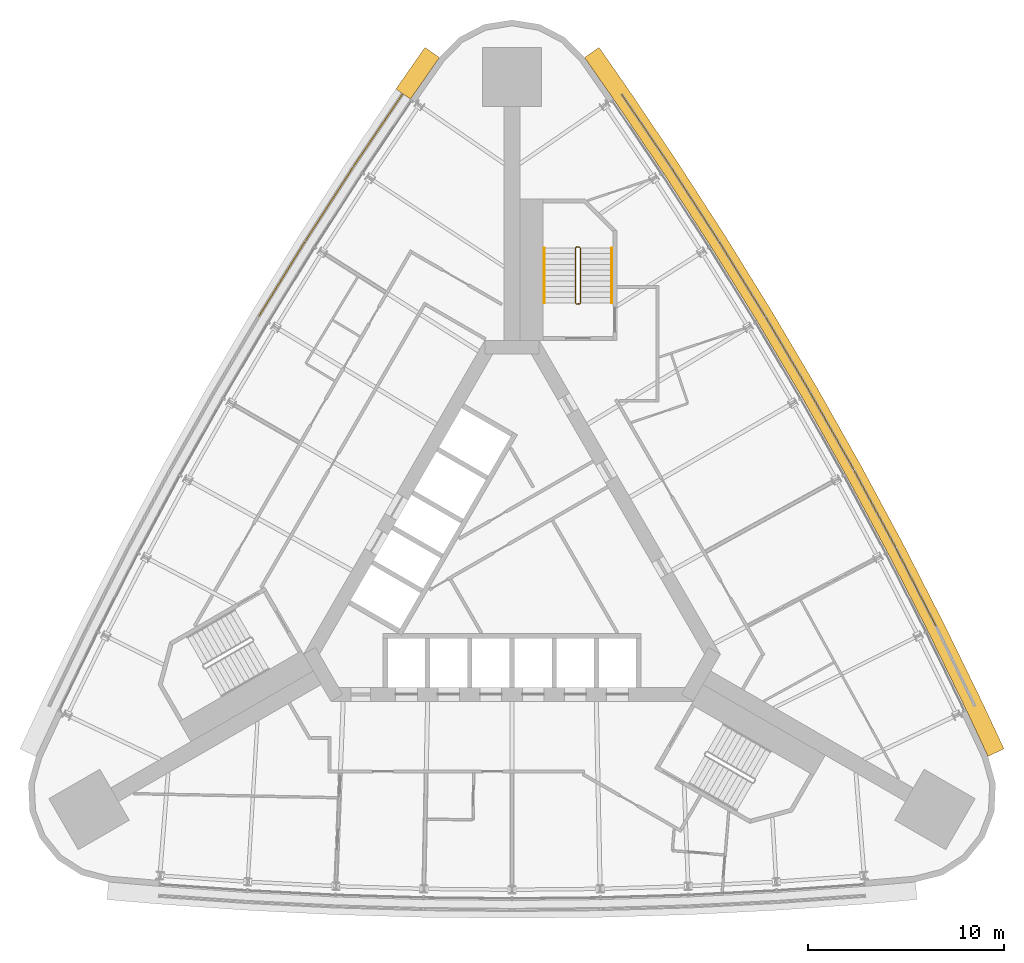
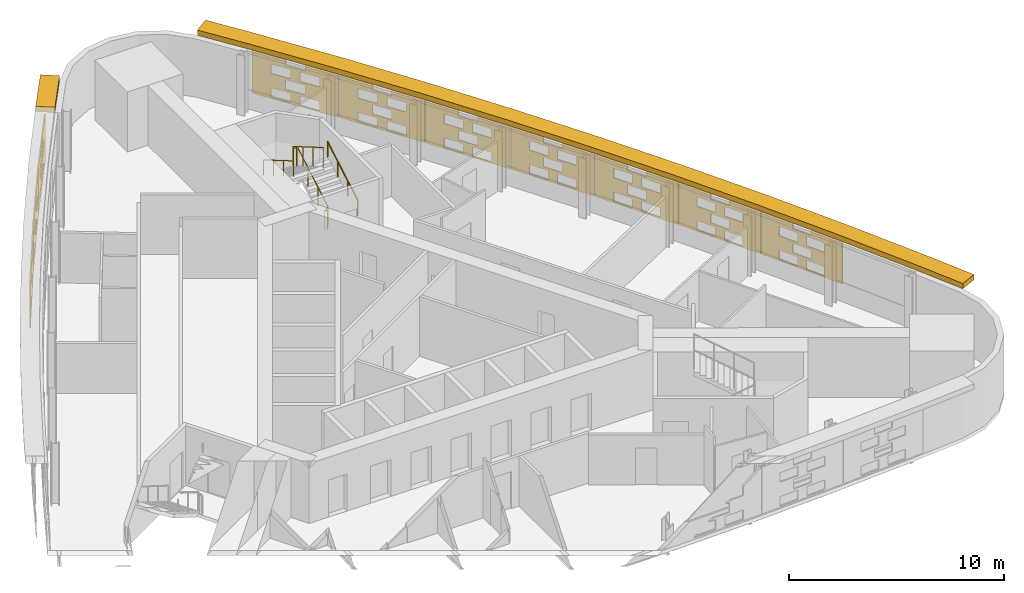
# One storey, part 11 of 11: 12 shading devices, 3 railings.
"""IFC4 building model written with IfcOpenShell, lengths in metres."""

from ifc_helpers import new_model, si_unit, direction, frame, origin, origin_2d, place, context, subcontext, project, spatial, polyline, circle, outline, extrude, material, material_profile, profile_set, type_object, element, save


model = new_model("IFC4")

# Units and contexts
model_context = context("Model", 3, precision=1e-05, world=origin(), true_north=direction((0.0, 1.0)))
body_context = subcontext(model_context, "Body", "Model", "MODEL_VIEW")
ifc_project = project(units=[si_unit("LENGTHUNIT", "METRE"), si_unit("AREAUNIT", "SQUARE_METRE"), si_unit("VOLUMEUNIT", "CUBIC_METRE"), si_unit("PLANEANGLEUNIT", "RADIAN"), si_unit("MASSUNIT", "GRAM", prefix="KILO")], contexts=[model_context])

# Site, building, storey
site_placement = place(None, origin())
site = spatial("IfcSite", under=ifc_project, at=site_placement, CompositionType="ELEMENT")
building_placement = place(site_placement, origin())
building = spatial("IfcBuilding", under=site, at=building_placement, Name="Noor Cloister Tower", CompositionType="ELEMENT")
storey_placement = place(building_placement, frame((0.0, 0.0, 109.5)))
storey = spatial("IfcBuildingStorey", under=building, at=storey_placement, Name="L28", CompositionType="ELEMENT", Elevation=109.5)

# Shading devices
ifc_material_1 = material(Name="Limestone", Category="masonry")
ifc_material_profile = material_profile(ifc_material_1, outline(polyline([(-2.22998046875, -1.35009765625), (2.22998046875, -1.35009765625), (2.22998046875, 1.35009765625), (-2.22998046875, 1.35009765625), (-2.22998046875, -1.35009765625)]), holes=[polyline([(-1.25, -1.282470703125), (-0.25, -1.282470703125), (-0.25, -0.742431640625), (-1.25, -0.742431640625), (-1.25, -1.282470703125)]), polyline([(0.25, -1.282470703125), (1.25, -1.282470703125), (1.25, -0.742431640625), (0.25, -0.742431640625), (0.25, -1.282470703125)]), polyline([(-0.5, -0.607421875), (0.5, -0.607421875), (0.5, -0.0673828125), (-0.5, -0.0673828125), (-0.5, -0.607421875)]), polyline([(-1.25, 0.0673828125), (-0.25, 0.0673828125), (-0.25, 0.607421875), (-1.25, 0.607421875), (-1.25, 0.0673828125)]), polyline([(0.25, 0.0673828125), (1.25, 0.0673828125), (1.25, 0.607421875), (0.25, 0.607421875), (0.25, 0.0673828125)]), polyline([(-0.5, 0.742431640625), (0.5, 0.742431640625), (0.5, 1.282470703125), (-0.5, 1.282470703125), (-0.5, 0.742431640625)])]), Name="Woven screen 28 percent open")
ifc_profile_set = profile_set([ifc_material_profile], Name="Limestone")
shading_device_type_1 = type_object("IfcShadingDeviceType", Name="SCREEN woven limestone 28 percent open", PredefinedType="USERDEFINED", material=ifc_profile_set)
shading_device_1_placement = place(storey_placement, frame((-6.802978515625, 22.134765625, 1.85009765625), z_axis=(-0.828283413128, 0.560309367704, 0.0), x_axis=(-0.560309367704, -0.828283413128, 0.0)))
element("IfcShadingDevice", 1, at=shading_device_1_placement, inside=storey, type_object=shading_device_type_1, Name="SCREEN L28 1", ObjectType="SCREEN", PredefinedType="USERDEFINED", context=body_context, shape_type="SweptSolid", body=[
    extrude(outline(polyline([(-2.22998046875, -1.35009765625), (2.22998046875, -1.35009765625), (2.22998046875, 1.35009765625), (-2.22998046875, 1.35009765625), (-2.22998046875, -1.35009765625)]), holes=[polyline([(-1.25, -1.282470703125), (-0.25, -1.282470703125), (-0.25, -0.742431640625), (-1.25, -0.742431640625), (-1.25, -1.282470703125)]), polyline([(0.25, -1.282470703125), (1.25, -1.282470703125), (1.25, -0.742431640625), (0.25, -0.742431640625), (0.25, -1.282470703125)]), polyline([(-0.5, -0.607421875), (0.5, -0.607421875), (0.5, -0.0673828125), (-0.5, -0.0673828125), (-0.5, -0.607421875)]), polyline([(-1.25, 0.0673828125), (-0.25, 0.0673828125), (-0.25, 0.607421875), (-1.25, 0.607421875), (-1.25, 0.0673828125)]), polyline([(0.25, 0.0673828125), (1.25, 0.0673828125), (1.25, 0.607421875), (0.25, 0.607421875), (0.25, 0.0673828125)]), polyline([(-0.5, 0.742431640625), (0.5, 0.742431640625), (0.5, 1.282470703125), (-0.5, 1.282470703125), (-0.5, 0.742431640625)])]), origin(), (0.0, 0.0, 1.0), 0.06005859375),
])
shading_device_2_placement = place(storey_placement, frame((-9.288330078125, 18.373046875, 1.85009765625), z_axis=(-0.840116811995, 0.54240551454, 0.0), x_axis=(-0.54240551454, -0.840116811995, 0.0)))
element("IfcShadingDevice", 2, at=shading_device_2_placement, inside=storey, type_object=shading_device_type_1, Name="SCREEN L28 2", ObjectType="SCREEN", PredefinedType="USERDEFINED", context=body_context, shape_type="SweptSolid", body=[
    extrude(outline(polyline([(-2.22998046875, -1.35009765625), (2.22998046875, -1.35009765625), (2.22998046875, 1.35009765625), (-2.22998046875, 1.35009765625), (-2.22998046875, -1.35009765625)]), holes=[polyline([(-1.25, -1.282470703125), (-0.25, -1.282470703125), (-0.25, -0.742431640625), (-1.25, -0.742431640625), (-1.25, -1.282470703125)]), polyline([(0.25, -1.282470703125), (1.25, -1.282470703125), (1.25, -0.742431640625), (0.25, -0.742431640625), (0.25, -1.282470703125)]), polyline([(-0.5, -0.607421875), (0.5, -0.607421875), (0.5, -0.0673828125), (-0.5, -0.0673828125), (-0.5, -0.607421875)]), polyline([(-1.25, 0.0673828125), (-0.25, 0.0673828125), (-0.25, 0.607421875), (-1.25, 0.607421875), (-1.25, 0.0673828125)]), polyline([(0.25, 0.0673828125), (1.25, 0.0673828125), (1.25, 0.607421875), (0.25, 0.607421875), (0.25, 0.0673828125)]), polyline([(-0.5, 0.742431640625), (0.5, 0.742431640625), (0.5, 1.282470703125), (-0.5, 1.282470703125), (-0.5, 0.742431640625)])]), origin(), (0.0, 0.0, 1.0), 0.059814453125),
])
shading_device_3_placement = place(storey_placement, frame((-11.697509765625, 14.56201171875, 1.85009765625), z_axis=(-0.850958576931, 0.525232805857, 0.0), x_axis=(-0.525232805857, -0.850958576931, 0.0)))
element("IfcShadingDevice", 3, at=shading_device_3_placement, inside=storey, type_object=shading_device_type_1, Name="SCREEN L28 3", ObjectType="SCREEN", PredefinedType="USERDEFINED", context=body_context, shape_type="SweptSolid", body=[
    extrude(outline(polyline([(-2.22998046875, -1.35009765625), (2.22998046875, -1.35009765625), (2.22998046875, 1.35009765625), (-2.22998046875, 1.35009765625), (-2.22998046875, -1.35009765625)]), holes=[polyline([(-1.25, -1.282470703125), (-0.25, -1.282470703125), (-0.25, -0.742431640625), (-1.25, -0.742431640625), (-1.25, -1.282470703125)]), polyline([(0.25, -1.282470703125), (1.25, -1.282470703125), (1.25, -0.742431640625), (0.25, -0.742431640625), (0.25, -1.282470703125)]), polyline([(-0.5, -0.607421875), (0.5, -0.607421875), (0.5, -0.0673828125), (-0.5, -0.0673828125), (-0.5, -0.607421875)]), polyline([(-1.25, 0.0673828125), (-0.25, 0.0673828125), (-0.25, 0.607421875), (-1.25, 0.607421875), (-1.25, 0.0673828125)]), polyline([(0.25, 0.0673828125), (1.25, 0.0673828125), (1.25, 0.607421875), (0.25, 0.607421875), (0.25, 0.0673828125)]), polyline([(-0.5, 0.742431640625), (0.5, 0.742431640625), (0.5, 1.282470703125), (-0.5, 1.282470703125), (-0.5, 0.742431640625)])]), origin(), (0.0, 0.0, 1.0), 0.06005859375),
])
shading_device_4_placement = place(storey_placement, frame((20.5556640625, -1.142578125, 1.85009765625), z_axis=(0.88947737876, 0.456979203766, 0.0), x_axis=(-0.456979203766, 0.88947737876, 0.0)))
element("IfcShadingDevice", 4, at=shading_device_4_placement, inside=storey, type_object=shading_device_type_1, Name="SCREEN L28 2", ObjectType="SCREEN", PredefinedType="USERDEFINED", context=body_context, shape_type="SweptSolid", body=[
    extrude(outline(polyline([(-2.22998046875, -1.35009765625), (2.22998046875, -1.35009765625), (2.22998046875, 1.35009765625), (-2.22998046875, 1.35009765625), (-2.22998046875, -1.35009765625)]), holes=[polyline([(-1.25, -1.282470703125), (-0.25, -1.282470703125), (-0.25, -0.742431640625), (-1.25, -0.742431640625), (-1.25, -1.282470703125)]), polyline([(0.25, -1.282470703125), (1.25, -1.282470703125), (1.25, -0.742431640625), (0.25, -0.742431640625), (0.25, -1.282470703125)]), polyline([(-0.5, -0.607421875), (0.5, -0.607421875), (0.5, -0.0673828125), (-0.5, -0.0673828125), (-0.5, -0.607421875)]), polyline([(-1.25, 0.0673828125), (-0.25, 0.0673828125), (-0.25, 0.607421875), (-1.25, 0.607421875), (-1.25, 0.0673828125)]), polyline([(0.25, 0.0673828125), (1.25, 0.0673828125), (1.25, 0.607421875), (0.25, 0.607421875), (0.25, 0.0673828125)]), polyline([(-0.5, 0.742431640625), (0.5, 0.742431640625), (0.5, 1.282470703125), (-0.5, 1.282470703125), (-0.5, 0.742431640625)])]), origin(), (0.0, 0.0, 1.0), 0.059814453125),
])
shading_device_5_placement = place(storey_placement, frame((18.459716796875, 2.849365234375, 1.85009765625), z_axis=(0.880210472648, 0.474583526727, 0.0), x_axis=(-0.474583526727, 0.880210472648, 0.0)))
element("IfcShadingDevice", 5, at=shading_device_5_placement, inside=storey, type_object=shading_device_type_1, Name="SCREEN L28 3", ObjectType="SCREEN", PredefinedType="USERDEFINED", context=body_context, shape_type="SweptSolid", body=[
    extrude(outline(polyline([(-2.22998046875, -1.35009765625), (2.22998046875, -1.35009765625), (2.22998046875, 1.35009765625), (-2.22998046875, 1.35009765625), (-2.22998046875, -1.35009765625)]), holes=[polyline([(-1.25, -1.282470703125), (-0.25, -1.282470703125), (-0.25, -0.742431640625), (-1.25, -0.742431640625), (-1.25, -1.282470703125)]), polyline([(0.25, -1.282470703125), (1.25, -1.282470703125), (1.25, -0.742431640625), (0.25, -0.742431640625), (0.25, -1.282470703125)]), polyline([(-0.5, -0.607421875), (0.5, -0.607421875), (0.5, -0.0673828125), (-0.5, -0.0673828125), (-0.5, -0.607421875)]), polyline([(-1.25, 0.0673828125), (-0.25, 0.0673828125), (-0.25, 0.607421875), (-1.25, 0.607421875), (-1.25, 0.0673828125)]), polyline([(0.25, 0.0673828125), (1.25, 0.0673828125), (1.25, 0.607421875), (0.25, 0.607421875), (0.25, 0.0673828125)]), polyline([(-0.5, 0.742431640625), (0.5, 0.742431640625), (0.5, 1.282470703125), (-0.5, 1.282470703125), (-0.5, 0.742431640625)])]), origin(), (0.0, 0.0, 1.0), 0.060302734375),
])
for number, where, z_axis, x_axis, name in (
    (6, (16.2841796875, 6.798583984375, 1.85009765625), (0.87048706901, 0.492191286683, 0.0), (-0.492191286683, 0.87048706901, 0.0), "SCREEN L28 4"),
    (7, (14.02978515625, 10.703369140625, 1.85009765625), (0.86141148773, 0.507907716822, 0.0), (-0.507907716822, 0.86141148773, 0.0), "SCREEN L28 5"),
    (8, (11.697509765625, 14.56201171875, 1.85009765625), (0.850958576931, 0.525232805857, 0.0), (-0.525232805857, 0.850958576931, 0.0), "SCREEN L28 6"),
):
    element("IfcShadingDevice", number, at=place(storey_placement, frame(where, z_axis=z_axis, x_axis=x_axis)), inside=storey, type_object=shading_device_type_1, Name=name, ObjectType="SCREEN", PredefinedType="USERDEFINED", context=body_context, shape_type="SweptSolid", body=[
        extrude(outline(polyline([(-2.22998046875, -1.35009765625), (2.22998046875, -1.35009765625), (2.22998046875, 1.35009765625), (-2.22998046875, 1.35009765625), (-2.22998046875, -1.35009765625)]), holes=[polyline([(-1.25, -1.282470703125), (-0.25, -1.282470703125), (-0.25, -0.742431640625), (-1.25, -0.742431640625), (-1.25, -1.282470703125)]), polyline([(0.25, -1.282470703125), (1.25, -1.282470703125), (1.25, -0.742431640625), (0.25, -0.742431640625), (0.25, -1.282470703125)]), polyline([(-0.5, -0.607421875), (0.5, -0.607421875), (0.5, -0.0673828125), (-0.5, -0.0673828125), (-0.5, -0.607421875)]), polyline([(-1.25, 0.0673828125), (-0.25, 0.0673828125), (-0.25, 0.607421875), (-1.25, 0.607421875), (-1.25, 0.0673828125)]), polyline([(0.25, 0.0673828125), (1.25, 0.0673828125), (1.25, 0.607421875), (0.25, 0.607421875), (0.25, 0.0673828125)]), polyline([(-0.5, 0.742431640625), (0.5, 0.742431640625), (0.5, 1.282470703125), (-0.5, 1.282470703125), (-0.5, 0.742431640625)])]), origin(), (0.0, 0.0, 1.0), 0.06005859375),
    ])
shading_device_6_placement = place(storey_placement, frame((9.288330078125, 18.373046875, 1.85009765625), z_axis=(0.840116811995, 0.54240551454, 0.0), x_axis=(-0.54240551454, 0.840116811995, 0.0)))
element("IfcShadingDevice", 9, at=shading_device_6_placement, inside=storey, type_object=shading_device_type_1, Name="SCREEN L28 7", ObjectType="SCREEN", PredefinedType="USERDEFINED", context=body_context, shape_type="SweptSolid", body=[
    extrude(outline(polyline([(-2.22998046875, -1.35009765625), (2.22998046875, -1.35009765625), (2.22998046875, 1.35009765625), (-2.22998046875, 1.35009765625), (-2.22998046875, -1.35009765625)]), holes=[polyline([(-1.25, -1.282470703125), (-0.25, -1.282470703125), (-0.25, -0.742431640625), (-1.25, -0.742431640625), (-1.25, -1.282470703125)]), polyline([(0.25, -1.282470703125), (1.25, -1.282470703125), (1.25, -0.742431640625), (0.25, -0.742431640625), (0.25, -1.282470703125)]), polyline([(-0.5, -0.607421875), (0.5, -0.607421875), (0.5, -0.0673828125), (-0.5, -0.0673828125), (-0.5, -0.607421875)]), polyline([(-1.25, 0.0673828125), (-0.25, 0.0673828125), (-0.25, 0.607421875), (-1.25, 0.607421875), (-1.25, 0.0673828125)]), polyline([(0.25, 0.0673828125), (1.25, 0.0673828125), (1.25, 0.607421875), (0.25, 0.607421875), (0.25, 0.0673828125)]), polyline([(-0.5, 0.742431640625), (0.5, 0.742431640625), (0.5, 1.282470703125), (-0.5, 1.282470703125), (-0.5, 0.742431640625)])]), origin(), (0.0, 0.0, 1.0), 0.059814453125),
])
shading_device_7_placement = place(storey_placement, frame((6.802978515625, 22.134765625, 1.85009765625), z_axis=(0.828283413128, 0.560309367704, 0.0), x_axis=(-0.560309367704, 0.828283413128, 0.0)))
element("IfcShadingDevice", 10, at=shading_device_7_placement, inside=storey, type_object=shading_device_type_1, Name="SCREEN L28 8", ObjectType="SCREEN", PredefinedType="USERDEFINED", context=body_context, shape_type="SweptSolid", body=[
    extrude(outline(polyline([(-2.22998046875, -1.35009765625), (2.22998046875, -1.35009765625), (2.22998046875, 1.35009765625), (-2.22998046875, 1.35009765625), (-2.22998046875, -1.35009765625)]), holes=[polyline([(-1.25, -1.282470703125), (-0.25, -1.282470703125), (-0.25, -0.742431640625), (-1.25, -0.742431640625), (-1.25, -1.282470703125)]), polyline([(0.25, -1.282470703125), (1.25, -1.282470703125), (1.25, -0.742431640625), (0.25, -0.742431640625), (0.25, -1.282470703125)]), polyline([(-0.5, -0.607421875), (0.5, -0.607421875), (0.5, -0.0673828125), (-0.5, -0.0673828125), (-0.5, -0.607421875)]), polyline([(-1.25, 0.0673828125), (-0.25, 0.0673828125), (-0.25, 0.607421875), (-1.25, 0.607421875), (-1.25, 0.0673828125)]), polyline([(0.25, 0.0673828125), (1.25, 0.0673828125), (1.25, 0.607421875), (0.25, 0.607421875), (0.25, 0.0673828125)]), polyline([(-0.5, 0.742431640625), (0.5, 0.742431640625), (0.5, 1.282470703125), (-0.5, 1.282470703125), (-0.5, 0.742431640625)])]), origin(), (0.0, 0.0, 1.0), 0.06005859375),
])
ifc_material_2 = material(Name="Limestone", Category="masonry")
shading_device_type_2 = type_object("IfcShadingDeviceType", Name="SUNSHADE limestone band 900", PredefinedType="USERDEFINED", material=ifc_material_2)
shading_device_8_placement = place(storey_placement, frame((0.0, 0.0, 3.300048828125)))
element("IfcShadingDevice", 11, at=shading_device_8_placement, inside=storey, type_object=shading_device_type_2, Name="SUNSHADE L28 3", ObjectType="SUNSHADE", PredefinedType="USERDEFINED", context=body_context, shape_type="SweptSolid", body=[
    extrude(outline(polyline([(25.059814453125, -9.350830078125), (23.9638671875, -7.0078125), (21.986083984375, -2.947998046875), (19.92626953125, 1.0732421875), (17.7861328125, 5.052001953125), (15.56640625, 8.9873046875), (13.268310546875, 12.877197265625), (10.892333984375, 16.719970703125), (8.43994140625, 20.514404296875), (5.912841796875, 24.25732421875), (4.431884765625, 26.3779296875), (3.694091796875, 25.862548828125), (5.1708984375, 23.747802734375), (7.68896484375, 20.018310546875), (10.131591796875, 16.239013671875), (12.498046875, 12.41162109375), (14.786865234375, 8.537353515625), (16.99755859375, 4.617919921875), (19.129150390625, 0.65478515625), (21.180908203125, -3.350341796875), (23.151611328125, -7.395751953125), (24.24462890625, -9.732177734375), (25.059814453125, -9.350830078125)])), origin(), (0.0, 0.0, 1.0), 0.300048828125),
])
shading_device_9_placement = place(storey_placement, frame((0.0, 0.0, 3.300048828125)))
element("IfcShadingDevice", 12, at=shading_device_9_placement, inside=storey, type_object=shading_device_type_2, Name="SUNSHADE L28 4", ObjectType="SUNSHADE", PredefinedType="USERDEFINED", context=body_context, shape_type="SweptSolid", body=[
    extrude(outline(polyline([(-4.431884765625, 26.3779296875), (-5.908935546875, 24.26318359375), (-5.1708984375, 23.747802734375), (-3.694091796875, 25.862548828125), (-4.431884765625, 26.3779296875)])), origin(), (0.0, 0.0, 1.0), 0.300048828125),
])

# Railings
ifc_material_3 = material(Name="Stainless steel", Category="steel")
railing_type_1 = type_object("IfcRailingType", Name="Stair guard 1100", PredefinedType="GUARDRAIL", material=ifc_material_3)
railing_1_placement = place(storey_placement, frame((3.435546875, 13.306396484375, 0.0)))
element("IfcRailing", 13, at=railing_1_placement, inside=storey, type_object=railing_type_1, Name="Stair guard ST1 L28", PredefinedType="GUARDRAIL", context=body_context, shape_type="SweptSolid", body=[
    extrude(circle(Radius=0.02392578125, at=origin_2d()), frame((0.0, 0.0, 1.076171875), z_axis=(-1.0, 0.0, 0.0), x_axis=(0.0, -1.0, 0.0)), (0.0, 0.0, 1.0), 0.14990234375),
    extrude(circle(Radius=0.02392578125, at=origin_2d()), frame((-0.14990234375, 0.0, 1.076171875), z_axis=(0.759870394187, 0.190199549216, 0.621627795), x_axis=(-0.242814311512, 0.970072785993, 0.0)), (0.0, 0.0, 1.0), 0.26318359375),
    extrude(circle(Radius=0.02392578125, at=origin_2d()), frame((0.050048828125, 0.050048828125, 1.23974609375), z_axis=(0.0, 0.863360870873, 0.504586966384), x_axis=(-1.0, 0.0, 0.0)), (0.0, 0.0, 1.0), 3.2431640625),
    extrude(circle(Radius=0.02392578125, at=origin_2d()), frame((0.050048828125, 2.85009765625, 2.8759765625), z_axis=(-0.708833529934, 0.705375805398, 0.0), x_axis=(-0.705375805398, -0.708833529934, 0.0)), (0.0, 0.0, 1.0), 0.070556640625),
    extrude(circle(Radius=0.02392578125, at=origin_2d()), frame((0.0, 2.89990234375, 2.8759765625), z_axis=(-1.0, 0.0, 0.0), x_axis=(0.0, -1.0, 0.0)), (0.0, 0.0, 1.0), 0.14990234375),
    extrude(circle(Radius=0.02392578125, at=origin_2d()), frame((-0.14990234375, 2.89990234375, 2.8759765625), z_axis=(-0.280916556609, -0.279546231943, 0.91811752648), x_axis=(0.705375805398, -0.708833529934, 0.0)), (0.0, 0.0, 1.0), 0.17822265625),
    extrude(circle(Radius=0.02392578125, at=origin_2d()), frame((-0.199951171875, 2.85009765625, 3.03955078125), z_axis=(0.0, -0.863360870873, 0.504586966384), x_axis=(1.0, 0.0, 0.0)), (0.0, 0.0, 1.0), 3.2431640625),
    extrude(circle(Radius=0.02099609375, at=origin_2d()), origin(), (0.0, 0.0, 1.0), 1.052001953125),
    extrude(circle(Radius=0.02099609375, at=origin_2d()), frame((-0.14990234375, 0.0, 0.0)), (0.0, 0.0, 1.0), 1.052001953125),
    extrude(circle(Radius=0.02099609375, at=origin_2d()), frame((0.050048828125, 0.050048828125, 0.16357421875)), (0.0, 0.0, 1.0), 1.052001953125),
    extrude(circle(Radius=0.02099609375, at=origin_2d()), frame((0.050048828125, 0.9833984375, 0.708984375)), (0.0, 0.0, 1.0), 1.052001953125),
    extrude(circle(Radius=0.02099609375, at=origin_2d()), frame((0.050048828125, 1.916748046875, 1.254638671875)), (0.0, 0.0, 1.0), 1.052001953125),
    extrude(circle(Radius=0.02099609375, at=origin_2d()), frame((0.050048828125, 2.85009765625, 1.800048828125)), (0.0, 0.0, 1.0), 1.052001953125),
    extrude(circle(Radius=0.02099609375, at=origin_2d()), frame((0.0, 2.89990234375, 1.800048828125)), (0.0, 0.0, 1.0), 1.052001953125),
    extrude(circle(Radius=0.02099609375, at=origin_2d()), frame((-0.14990234375, 2.89990234375, 1.800048828125)), (0.0, 0.0, 1.0), 1.052001953125),
    extrude(circle(Radius=0.02099609375, at=origin_2d()), frame((-0.199951171875, 2.85009765625, 1.963623046875)), (0.0, 0.0, 1.0), 1.052001953125),
    extrude(circle(Radius=0.02099609375, at=origin_2d()), frame((-0.199951171875, 1.916748046875, 2.509033203125)), (0.0, 0.0, 1.0), 1.052001953125),
    extrude(circle(Radius=0.02099609375, at=origin_2d()), frame((-0.199951171875, 0.9833984375, 3.0546875)), (0.0, 0.0, 1.0), 1.052001953125),
    extrude(circle(Radius=0.02099609375, at=origin_2d()), frame((-0.199951171875, 0.050048828125, 3.60009765625)), (0.0, 0.0, 1.0), 1.052001953125),
])
ifc_material_4 = material(Name="Stainless steel", Category="steel")
railing_type_2 = type_object("IfcRailingType", Name="Stair handrail 900", PredefinedType="HANDRAIL", material=ifc_material_4)
railing_2_placement = place(storey_placement, frame((5.085693359375, 13.3564453125, 0.16357421875)))
element("IfcRailing", 14, at=railing_2_placement, inside=storey, type_object=railing_type_2, Name="Stair handrail ST1 L28 1", PredefinedType="HANDRAIL", context=body_context, shape_type="SweptSolid", body=[
    extrude(circle(Radius=0.02392578125, at=origin_2d()), frame((0.0, 0.0, 0.8759765625), z_axis=(0.0, 0.863360870873, 0.504586966384), x_axis=(-1.0, 0.0, 0.0)), (0.0, 0.0, 1.0), 3.2431640625),
    extrude(circle(Radius=0.02099609375, at=origin_2d()), origin(), (0.0, 0.0, 1.0), 0.851806640625),
    extrude(circle(Radius=0.02099609375, at=origin_2d()), frame((0.0, 0.933349609375, 0.54541015625)), (0.0, 0.0, 1.0), 0.851806640625),
    extrude(circle(Radius=0.02099609375, at=origin_2d()), frame((0.0, 1.86669921875, 1.091064453125)), (0.0, 0.0, 1.0), 0.851806640625),
    extrude(circle(Radius=0.02099609375, at=origin_2d()), frame((0.0, 2.800048828125, 1.636474609375)), (0.0, 0.0, 1.0), 0.851806640625),
])
railing_3_placement = place(storey_placement, frame((1.6357421875, 16.156494140625, 1.963623046875)))
element("IfcRailing", 15, at=railing_3_placement, inside=storey, type_object=railing_type_2, Name="Stair handrail ST1 L28 2", PredefinedType="HANDRAIL", context=body_context, shape_type="SweptSolid", body=[
    extrude(circle(Radius=0.02392578125, at=origin_2d()), frame((0.0, 0.0, 0.8759765625), z_axis=(0.0, -0.863360870873, 0.504586966384), x_axis=(1.0, 0.0, 0.0)), (0.0, 0.0, 1.0), 3.2431640625),
    extrude(circle(Radius=0.02099609375, at=origin_2d()), origin(), (0.0, 0.0, 1.0), 0.851806640625),
    extrude(circle(Radius=0.02099609375, at=origin_2d()), frame((0.0, -0.933349609375, 0.54541015625)), (0.0, 0.0, 1.0), 0.851806640625),
    extrude(circle(Radius=0.02099609375, at=origin_2d()), frame((0.0, -1.86669921875, 1.091064453125)), (0.0, 0.0, 1.0), 0.851806640625),
    extrude(circle(Radius=0.02099609375, at=origin_2d()), frame((0.0, -2.800048828125, 1.636474609375)), (0.0, 0.0, 1.0), 0.851806640625),
])

save(model, "model.ifc")
